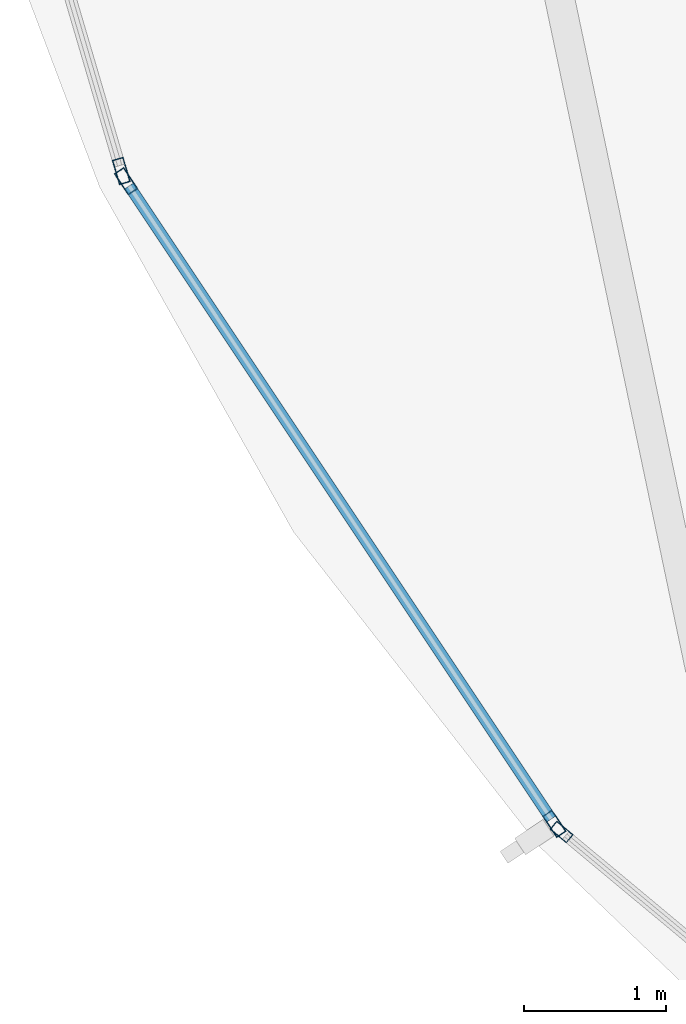
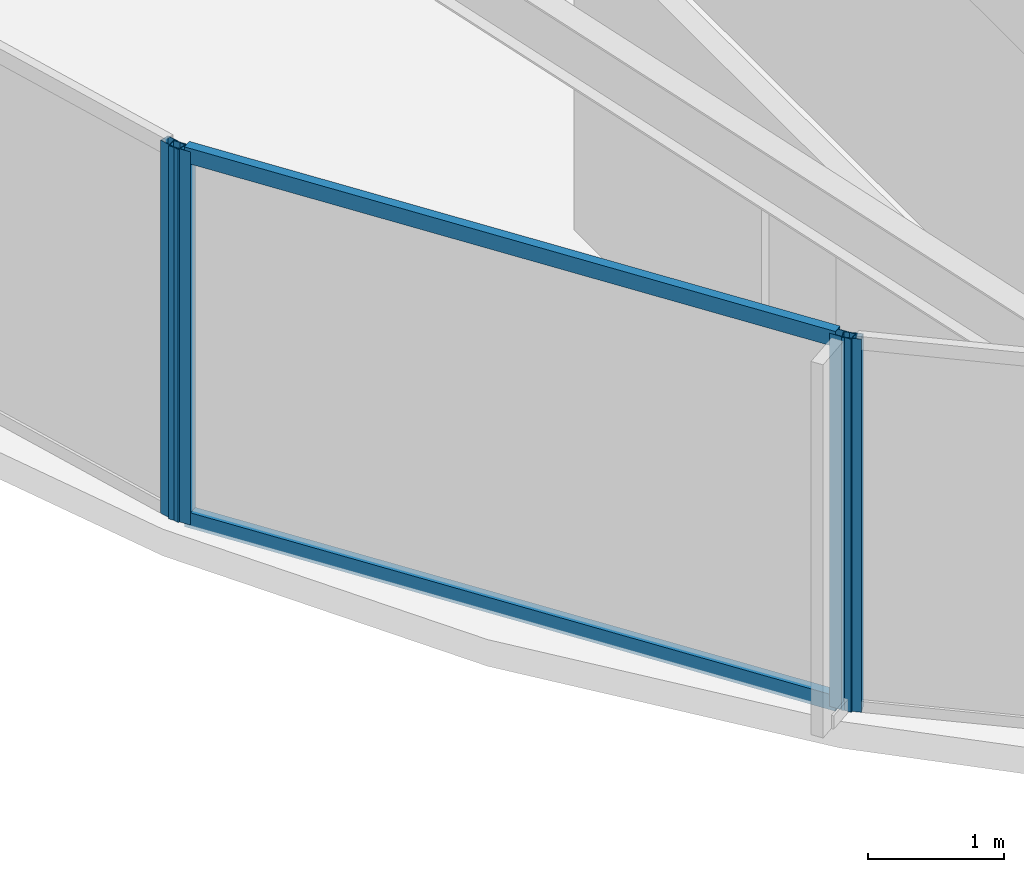
# One storey, part 3 of 31: 6 members, 3 elements without a shape of their own.
"""IFC4 building model written with IfcOpenShell, lengths in metres."""

from ifc_helpers import new_model, si_unit, direction, frame, origin, origin_2d, place, context, subcontext, project, spatial, hollow_rectangle, extrude, material, layer, layer_set, material_profile, profile_set, type_object, element, aggregate, save


model = new_model("IFC4")

# Units and contexts
model_context = context("Model", 3, precision=1e-05, world=origin(), true_north=direction((0.0, 1.0)))
body_context = subcontext(model_context, "Body", "Model", "MODEL_VIEW")
ifc_project = project(units=[si_unit("LENGTHUNIT", "METRE"), si_unit("AREAUNIT", "SQUARE_METRE"), si_unit("VOLUMEUNIT", "CUBIC_METRE"), si_unit("PLANEANGLEUNIT", "RADIAN"), si_unit("MASSUNIT", "GRAM", prefix="KILO")], contexts=[model_context])

# Site, building, storey
site_placement = place(None, origin())
site = spatial("IfcSite", under=ifc_project, at=site_placement, CompositionType="ELEMENT")
building_placement = place(site_placement, origin())
building = spatial("IfcBuilding", under=site, at=building_placement, Name="Kazevale Care Tower and Concert Hall", CompositionType="ELEMENT")
storey_placement = place(building_placement, frame((0.0, 0.0, 217.199951171875)))
storey = spatial("IfcBuildingStorey", under=building, at=storey_placement, Name="L57", CompositionType="ELEMENT", Elevation=217.199951171875)

# Curtain wall, members
ifc_material_1 = material(Name="Aluminium 6063-T6 and Low-E Glass", Category="aluminium")
ifc_layer_1 = layer(ifc_material_1, 0.179931640625)
ifc_layer_set_1 = layer_set([ifc_layer_1], Name="Aluminium 6063-T6 and Low-E Glass")
curtain_wall_type_1 = type_object("IfcCurtainWallType", Name="Waist & Upper Residential Curtain Wall CW-4", PredefinedType="NOTDEFINED", material=ifc_layer_set_1)
curtain_wall_1_placement = place(storey_placement, origin())
curtain_wall_1 = element("IfcCurtainWall", 1, at=curtain_wall_1_placement, inside=storey, type_object=curtain_wall_type_1, Name="cw:L57:f11", PredefinedType="NOTDEFINED")
ifc_material_2 = material(Name="Aluminium 6063-T6", Category="aluminium")
ifc_material_profile_1 = material_profile(ifc_material_2, hollow_rectangle(XDim=0.080078125, YDim=0.179931640625, WallThickness=0.0048828125, at=origin_2d()), Name="ALU80x180x5")
ifc_profile_set_1 = profile_set([ifc_material_profile_1], Name="Aluminium 6063-T6")
member_type_1 = type_object("IfcMemberType", Name="CW-4 Mullion ALU80x180x5", PredefinedType="MULLION", material=ifc_profile_set_1)
member_1_placement = place(storey_placement, frame((18.185791015625, 25.26318359375, 0.0), z_axis=(0.0, 0.0, 1.0), x_axis=(-0.832106058512, -0.554616540853, 0.0)))
member_1 = element("IfcMember", 2, at=member_1_placement, type_object=member_type_1, Name="CW-4 mullion 1", PredefinedType="MULLION", context=body_context, shape_type="SweptSolid", body=[
    extrude(hollow_rectangle(XDim=0.080078125, YDim=0.179931640625, WallThickness=0.0048828125, at=origin_2d()), origin(), (0.0, 0.0, 1.0), 3.360107421875),
])
member_2_placement = place(storey_placement, frame((15.170166015625, 29.78759765625, 0.0), z_axis=(0.0, 0.0, 1.0), x_axis=(-0.832106058512, -0.554616540853, 0.0)))
member_2 = element("IfcMember", 3, at=member_2_placement, type_object=member_type_1, Name="CW-4 mullion 2", PredefinedType="MULLION", context=body_context, shape_type="SweptSolid", body=[
    extrude(hollow_rectangle(XDim=0.080078125, YDim=0.179931640625, WallThickness=0.0048828125, at=origin_2d()), origin(), (0.0, 0.0, 1.0), 3.360107421875),
])

# Curtain wall, member
curtain_wall_2_placement = place(storey_placement, origin())
curtain_wall_2 = element("IfcCurtainWall", 4, at=curtain_wall_2_placement, inside=storey, type_object=curtain_wall_type_1, Name="cw:L57:f12", PredefinedType="NOTDEFINED")
member_3_placement = place(storey_placement, frame((15.13671875, 29.859375, 0.0), z_axis=(0.0, 0.0, 1.0), x_axis=(-0.959385539982, -0.282098184457, 0.0)))
member_3 = element("IfcMember", 5, at=member_3_placement, type_object=member_type_1, Name="CW-4 mullion 1", PredefinedType="MULLION", context=body_context, shape_type="SweptSolid", body=[
    extrude(hollow_rectangle(XDim=0.080078125, YDim=0.179931640625, WallThickness=0.0048828125, at=origin_2d()), origin(), (0.0, 0.0, 1.0), 3.360107421875),
])
aggregate(curtain_wall_2, [member_3])

# Member
ifc_material_profile_2 = material_profile(ifc_material_2, hollow_rectangle(XDim=0.080078125, YDim=0.139892578125, WallThickness=0.00390625, at=origin_2d()), Name="ALU80x140x4")
ifc_profile_set_2 = profile_set([ifc_material_profile_2], Name="Aluminium 6063-T6")
member_type_2 = type_object("IfcMemberType", Name="CW-4 Transom ALU80x140x4", PredefinedType="USERDEFINED", material=ifc_profile_set_2)
member_4_placement = place(storey_placement, frame((18.16357421875, 25.296630859375, 0.0400390625), z_axis=(-0.554616059735, 0.832106379187, 0.0), x_axis=(-0.832106379187, -0.554616059735, 0.0)))
member_4 = element("IfcMember", 6, at=member_4_placement, type_object=member_type_2, Name="CW-4 transom 1.1", ObjectType="TRANSOM", PredefinedType="USERDEFINED", context=body_context, shape_type="SweptSolid", body=[
    extrude(hollow_rectangle(XDim=0.080078125, YDim=0.139892578125, WallThickness=0.00390625, at=origin_2d()), origin(), (0.0, 0.0, 1.0), 5.357177734375),
])

member_5_placement = place(storey_placement, frame((18.16357421875, 25.296630859375, 3.320068359375), z_axis=(-0.554616059735, 0.832106379187, 0.0), x_axis=(-0.832106379187, -0.554616059735, 0.0)))
member_5 = element("IfcMember", 7, at=member_5_placement, type_object=member_type_2, Name="CW-4 transom 1.2", ObjectType="TRANSOM", PredefinedType="USERDEFINED", context=body_context, shape_type="SweptSolid", body=[
    extrude(hollow_rectangle(XDim=0.080078125, YDim=0.139892578125, WallThickness=0.00390625, at=origin_2d()), origin(), (0.0, 0.0, 1.0), 5.357177734375),
])

aggregate(curtain_wall_1, [member_1, member_2, member_4, member_5])

# Curtain wall, member
ifc_layer_2 = layer(ifc_material_1, 0.179931640625)
ifc_layer_set_2 = layer_set([ifc_layer_2], Name="Aluminium 6063-T6 and Low-E Glass")
curtain_wall_type_2 = type_object("IfcCurtainWallType", Name="Sheltered Concave Balcony Curtain Wall CW-5", PredefinedType="NOTDEFINED", material=ifc_layer_set_2)
curtain_wall_3_placement = place(storey_placement, origin())
curtain_wall_3 = element("IfcCurtainWall", 8, at=curtain_wall_3_placement, inside=storey, type_object=curtain_wall_type_2, Name="cw:L57:f10", PredefinedType="NOTDEFINED")
ifc_material_profile_3 = material_profile(ifc_material_2, hollow_rectangle(XDim=0.074951171875, YDim=0.14990234375, WallThickness=0.00390625, at=origin_2d()), Name="ALU75x150x4")
ifc_profile_set_3 = profile_set([ifc_material_profile_3], Name="Aluminium 6063-T6")
member_type_3 = type_object("IfcMemberType", Name="CW-5 Mullion ALU75x150x4", PredefinedType="MULLION", material=ifc_profile_set_3)
member_6_placement = place(storey_placement, frame((18.23681640625, 25.2060546875, 0.0), z_axis=(0.0, 0.0, 1.0), x_axis=(-0.639961217204, -0.768407210062, 0.0)))
member_6 = element("IfcMember", 9, at=member_6_placement, type_object=member_type_3, Name="CW-5 mullion 2", PredefinedType="MULLION", context=body_context, shape_type="SweptSolid", body=[
    extrude(hollow_rectangle(XDim=0.074951171875, YDim=0.14990234375, WallThickness=0.00390625, at=origin_2d()), origin(), (0.0, 0.0, 1.0), 3.360107421875),
])
aggregate(curtain_wall_3, [member_6])

save(model, "model.ifc")
